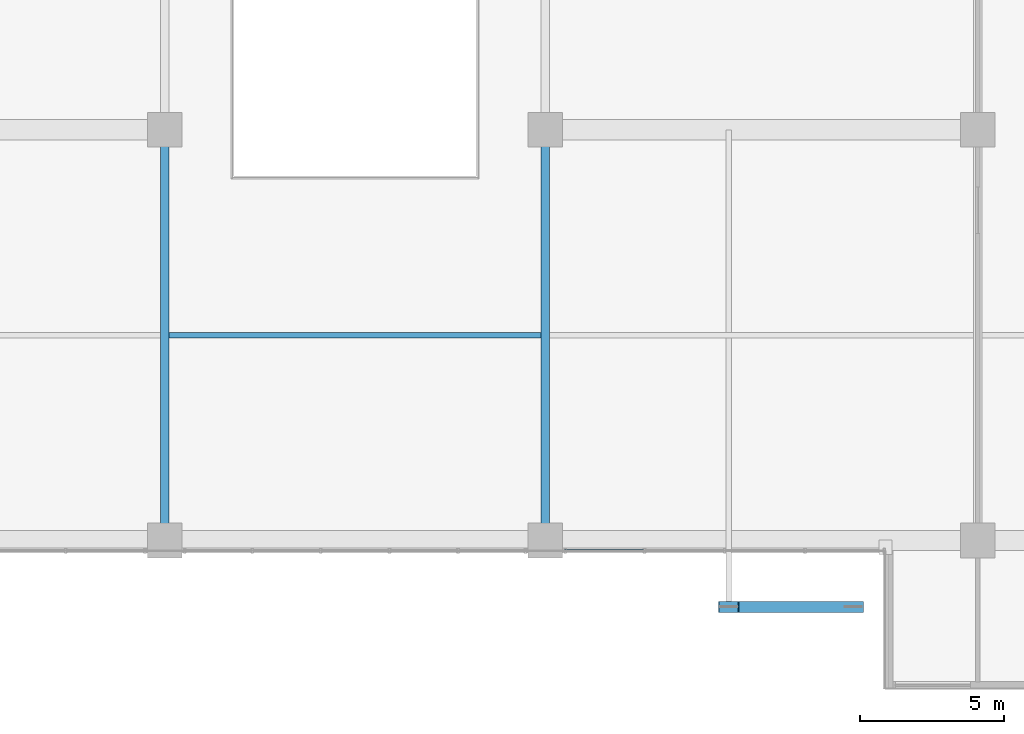
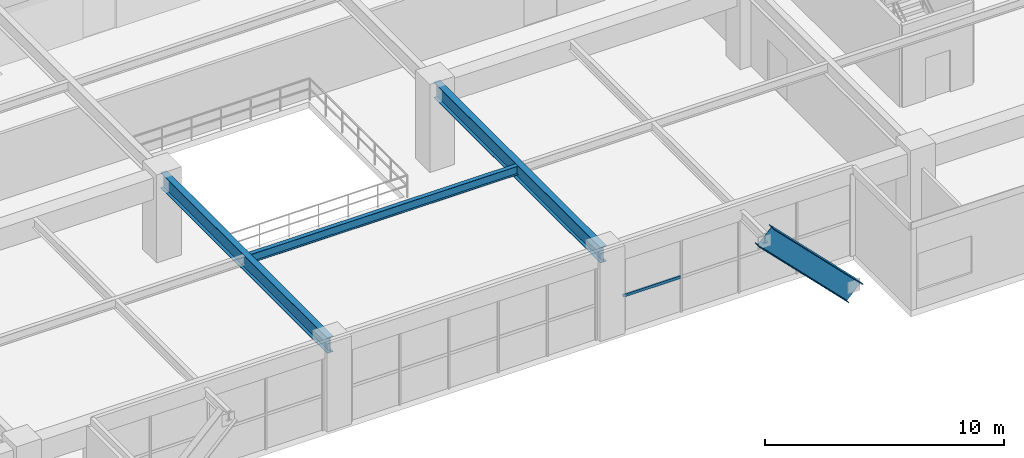
# One storey, part 5 of 24: 3 beams, 2 members, 1 element without a shape of its own.
"""IFC4 building model written with IfcOpenShell, lengths in metres."""

from ifc_helpers import new_model, si_unit, direction, frame, origin, origin_2d, place, context, subcontext, project, spatial, hollow_rectangle, i_section, extrude, source, transform, mapped, material, material_profile, profile_set, type_object, element, aggregate, save


model = new_model("IFC4")

# Units and contexts
model_context = context("Model", 3, precision=1e-05, world=origin(), true_north=direction((0.0, 1.0)))
body_context = subcontext(model_context, "Body", "Model", "MODEL_VIEW")
ifc_project = project(units=[si_unit("LENGTHUNIT", "METRE"), si_unit("AREAUNIT", "SQUARE_METRE"), si_unit("VOLUMEUNIT", "CUBIC_METRE"), si_unit("PLANEANGLEUNIT", "RADIAN"), si_unit("MASSUNIT", "GRAM", prefix="KILO")], contexts=[model_context])

# Site, building, storey
site_placement = place(None, origin())
site = spatial("IfcSite", under=ifc_project, at=site_placement, CompositionType="ELEMENT")
building_placement = place(site_placement, origin())
building = spatial("IfcBuilding", under=site, at=building_placement, Name="Trelvane Seafront Commons", CompositionType="ELEMENT")
storey_placement = place(building_placement, frame((0.0, 0.0, 5.199951171875)))
storey = spatial("IfcBuildingStorey", under=building, at=storey_placement, Name="L01", CompositionType="ELEMENT", Elevation=5.199951171875)

# Beams
ifc_material_1 = material(Name="Steel SM355 (S355)", Category="steel")
ifc_material_profile_1 = material_profile(ifc_material_1, i_section(OverallWidth=0.300048828125, OverallDepth=0.800048828125, WebThickness=0.013916015625, FlangeThickness=0.02587890625, at=origin_2d()), Name="H-800x300x14x26")
ifc_profile_set_1 = profile_set([ifc_material_profile_1], Name="Steel SM355 (S355)")
beam_type_1 = type_object("IfcBeamType", Name="STR-BM-H800", PredefinedType="BEAM", material=ifc_profile_set_1)
shared_shape_1 = source(origin(), body_context, "Body", "SweptSolid", [
    extrude(i_section(OverallWidth=0.300048828125, OverallDepth=0.800048828125, WebThickness=0.013916015625, FlangeThickness=0.02587890625, at=origin_2d()), origin(), (0.0, 0.0, 1.0), 13.949951171875),
])
for number, where, z_axis, x_axis, name in (
    (1, (30.60009765625, 4.10009765625, 3.800048828125), (0.0, 1.0, 0.0), (-1.0, 0.0, 0.0), "L01 Primary Girder G-43"),
    (2, (43.800048828125, 4.10009765625, 3.800048828125), (0.0, 1.0, 0.0), (-1.0, 0.0, 0.0), "L01 Primary Girder G-47"),
):
    element("IfcBeam", number, at=place(storey_placement, frame(where, z_axis=z_axis, x_axis=x_axis)), inside=storey, type_object=beam_type_1, Name=name, PredefinedType="BEAM", context=body_context, shape_type="MappedRepresentation", body=[
        mapped(shared_shape_1, transform((0.0, 0.0, 0.0), x_axis=(1.0, 0.0, 0.0), y_axis=(0.0, 1.0, 0.0), z_axis=(0.0, 0.0, 1.0), scale=1.0)),
    ])
ifc_material_profile_2 = material_profile(ifc_material_1, i_section(OverallWidth=0.199951171875, OverallDepth=0.449951171875, WebThickness=0.009033203125, FlangeThickness=0.013916015625, at=origin_2d()), Name="H-450x200x9x14")
ifc_profile_set_2 = profile_set([ifc_material_profile_2], Name="Steel SM355 (S355)")
beam_type_2 = type_object("IfcBeamType", Name="STR-JST-H450", PredefinedType="JOIST", material=ifc_profile_set_2)
shared_shape_2 = source(origin(), body_context, "Body", "SweptSolid", [
    extrude(i_section(OverallWidth=0.199951171875, OverallDepth=0.449951171875, WebThickness=0.009033203125, FlangeThickness=0.013916015625, at=origin_2d()), origin(), (0.0, 0.0, 1.0), 12.89990234375),
])
beam_placement = place(storey_placement, frame((30.75, 11.074951171875, 3.97509765625), z_axis=(1.0, 0.0, 0.0), x_axis=(0.0, 1.0, 0.0)))
element("IfcBeam", 3, at=beam_placement, inside=storey, type_object=beam_type_2, Name="L01 Secondary Floor Joist B-62", PredefinedType="JOIST", context=body_context, shape_type="MappedRepresentation", body=[
    mapped(shared_shape_2, transform((0.0, 0.0, 0.0), x_axis=(1.0, 0.0, 0.0), y_axis=(0.0, 1.0, 0.0), z_axis=(0.0, 0.0, 1.0), scale=1.0)),
])

# Member
ifc_material_profile_3 = material_profile(ifc_material_1, i_section(OverallWidth=0.3798828125, OverallDepth=1.0, WebThickness=0.01904296875, FlangeThickness=0.033935546875, at=origin_2d()), Name="W-1000x380x19x34")
ifc_profile_set_3 = profile_set([ifc_material_profile_3], Name="Steel SM355 (S355)")
member_type_1 = type_object("IfcMemberType", Name="STR-STR-W1000", PredefinedType="STRUT", material=ifc_profile_set_3)
shared_shape_3 = source(origin(), body_context, "Body", "SweptSolid", [
    extrude(i_section(OverallWidth=0.3798828125, OverallDepth=1.0, WebThickness=0.01904296875, FlangeThickness=0.033935546875, at=origin_2d()), origin(), (0.0, 0.0, 1.0), 6.130615234375),
])
member_1_placement = place(storey_placement, frame((54.47998046875, 1.64990234375, -0.349853515625), z_axis=(-0.704673386832, 0.0, 0.709531830076), x_axis=(0.0, -1.0, 0.0)))
element("IfcMember", 4, at=member_1_placement, inside=storey, type_object=member_type_1, Name="L01 Base Inverted-V Portal Mega-Strut VP-E", PredefinedType="STRUT", context=body_context, shape_type="MappedRepresentation", body=[
    mapped(shared_shape_3, transform((0.0, 0.0, 0.0), x_axis=(1.0, 0.0, 0.0), y_axis=(0.0, 1.0, 0.0), z_axis=(0.0, 0.0, 1.0), scale=1.0)),
])

# Curtain wall, member
ifc_material_2 = material(Name="Anodised pale-silver aluminium", Category="aluminium")
curtain_wall_type = type_object("IfcCurtainWallType", Name="ARCH-CW1-PODIUM", PredefinedType="NOTDEFINED", material=ifc_material_2)
curtain_wall_placement = place(storey_placement, origin())
curtain_wall = element("IfcCurtainWall", 5, at=curtain_wall_placement, inside=storey, type_object=curtain_wall_type, Name="CW-L01-VP-0010", PredefinedType="NOTDEFINED")
ifc_material_profile_4 = material_profile(ifc_material_2, hollow_rectangle(XDim=0.074951171875, YDim=0.139892578125, WallThickness=0.00390625, at=origin_2d()), Name="TRAN-75x140x4")
ifc_profile_set_4 = profile_set([ifc_material_profile_4], Name="Anodised pale-silver aluminium")
member_type_2 = type_object("IfcMemberType", Name="ARCH-CW-TRAN-140", PredefinedType="USERDEFINED", material=ifc_profile_set_4)
shared_shape_4 = source(origin(), body_context, "Body", "SweptSolid", [
    extrude(hollow_rectangle(XDim=0.074951171875, YDim=0.139892578125, WallThickness=0.00390625, at=origin_2d()), origin(), (0.0, 0.0, 1.0), 2.763671875),
])
member_2_placement = place(storey_placement, frame((47.2255859375, 3.60009765625, 1.76611328125), z_axis=(-1.0, 0.0, 0.0), x_axis=(0.0, -1.0, 0.0)))
member_2 = element("IfcMember", 6, at=member_2_placement, type_object=member_type_2, Name="CW-L01-VP-0010-T03", ObjectType="TRANSOM", PredefinedType="USERDEFINED", context=body_context, shape_type="MappedRepresentation", body=[
    mapped(shared_shape_4, transform((0.0, 0.0, 0.0), x_axis=(1.0, 0.0, 0.0), y_axis=(0.0, 1.0, 0.0), z_axis=(0.0, 0.0, 1.0), scale=1.0)),
])
aggregate(curtain_wall, [member_2])

save(model, "model.ifc")
